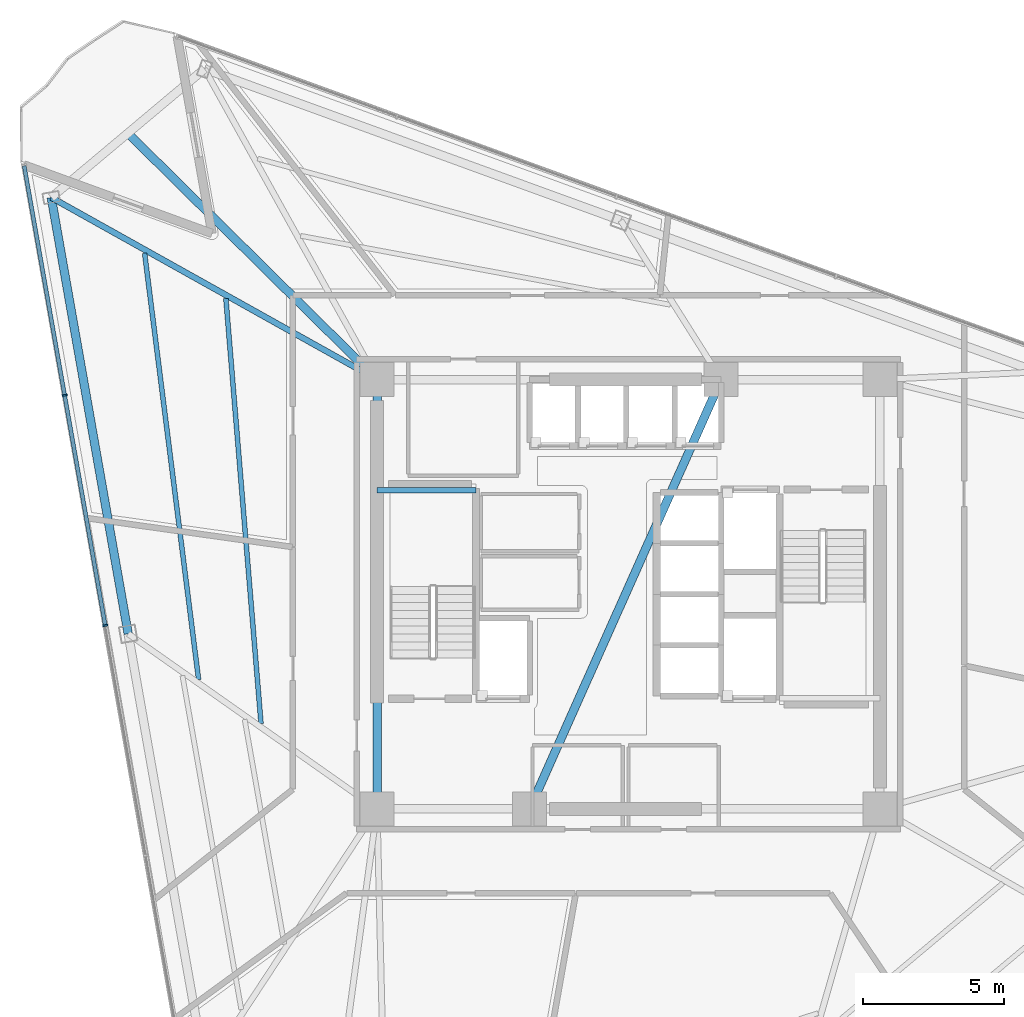
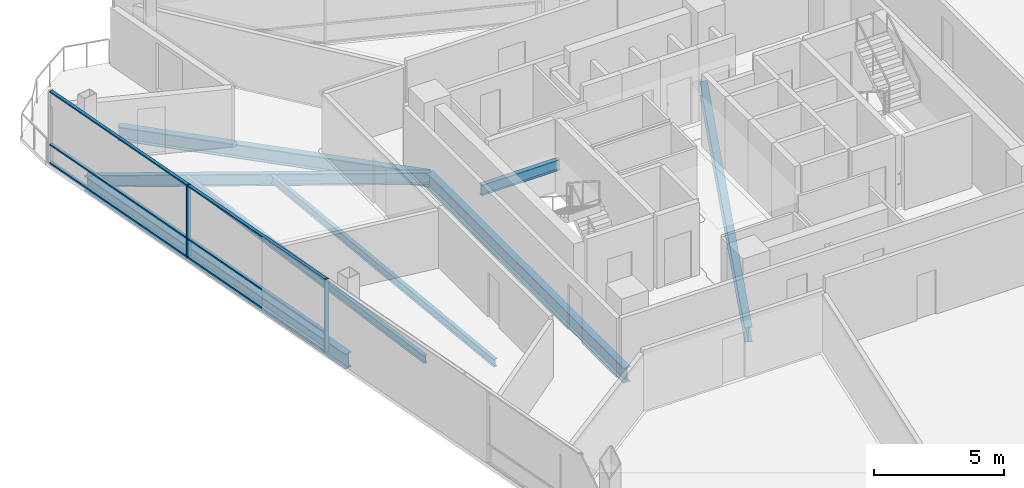
# One storey, part 5 of 16: 8 beams, 8 members, 1 element without a shape of its own.
"""IFC4 building model written with IfcOpenShell, lengths in metres."""

from ifc_helpers import new_model, si_unit, direction, frame, origin, origin_2d, place, context, subcontext, project, spatial, rectangle, i_section, extrude, material, layer, layer_set, material_profile, profile_set, type_object, element, aggregate, save


model = new_model("IFC4")

# Units and contexts
model_context = context("Model", 3, precision=1e-05, world=origin(), true_north=direction((0.0, 1.0)))
body_context = subcontext(model_context, "Body", "Model", "MODEL_VIEW")
ifc_project = project(units=[si_unit("LENGTHUNIT", "METRE"), si_unit("AREAUNIT", "SQUARE_METRE"), si_unit("VOLUMEUNIT", "CUBIC_METRE"), si_unit("PLANEANGLEUNIT", "RADIAN"), si_unit("MASSUNIT", "GRAM", prefix="KILO")], contexts=[model_context])

# Site, building, storey
site_placement = place(None, origin())
site = spatial("IfcSite", under=ifc_project, at=site_placement, CompositionType="ELEMENT")
building_placement = place(site_placement, origin())
building = spatial("IfcBuilding", under=site, at=building_placement, Name="Tharavind Bronze Gate", CompositionType="ELEMENT")
storey_placement = place(building_placement, frame((0.0, 0.0, 181.300048828125)))
storey = spatial("IfcBuildingStorey", under=building, at=storey_placement, Name="L46", CompositionType="ELEMENT", Elevation=181.300048828125)

# Curtain wall, members
ifc_material_1 = material(Name="Anodised Bronze Aluminium", Category="aluminium")
ifc_layer = layer(ifc_material_1, 0.219970703125)
ifc_layer_set = layer_set([ifc_layer], Name="Anodised Bronze Aluminium")
curtain_wall_type = type_object("IfcCurtainWallType", Name="UNITISED CURTAIN WALL MID OFFICE", PredefinedType="USERDEFINED", material=ifc_layer_set)
curtain_wall_placement = place(storey_placement, origin())
curtain_wall = element("IfcCurtainWall", 1, at=curtain_wall_placement, inside=storey, type_object=curtain_wall_type, Name="L46 unitised curtain wall mid office CW-L46-S1", ObjectType="UNITISED CURTAIN WALL", PredefinedType="USERDEFINED")
member_type_1 = type_object("IfcMemberType", Name="CURTAIN WALL BRONZE MULLION 65X180", PredefinedType="MULLION", material=ifc_material_1)
member_1_placement = place(storey_placement, frame((-19.9599609375, 7.044677734375, 0.0), z_axis=(0.0, 0.0, 1.0), x_axis=(0.173648177667, -0.984807753012, 0.0)))
member_1 = element("IfcMember", 2, at=member_1_placement, type_object=member_type_1, Name="CW-L46-S1 mullion 2", PredefinedType="MULLION", context=body_context, shape_type="SweptSolid", body=[
    extrude(rectangle(XDim=0.06494140625, YDim=0.179931640625, at=origin_2d()), origin(), (0.0, 0.0, 1.0), 3.419921875),
])
member_2_placement = place(storey_placement, frame((-18.5234375, -1.10302734375, 0.0), z_axis=(0.0, 0.0, 1.0), x_axis=(0.173648177667, -0.984807753012, 0.0)))
member_2 = element("IfcMember", 3, at=member_2_placement, type_object=member_type_1, Name="CW-L46-S1 mullion 3", PredefinedType="MULLION", context=body_context, shape_type="SweptSolid", body=[
    extrude(rectangle(XDim=0.06494140625, YDim=0.179931640625, at=origin_2d()), origin(), (0.0, 0.0, 1.0), 3.419921875),
])
member_type_2 = type_object("IfcMemberType", Name="CURTAIN WALL BRONZE TRANSOM 65X140", PredefinedType="USERDEFINED", material=ifc_material_1)
member_3_placement = place(storey_placement, frame((-20.678466796875, 11.118408203125, 0.0), z_axis=(0.0, 0.0, 1.0), x_axis=(0.173648177667, -0.984807753012, 0.0)))
member_3 = element("IfcMember", 4, at=member_3_placement, type_object=member_type_2, Name="CW-L46-S1 transom TB1", ObjectType="TRANSOM", PredefinedType="USERDEFINED", context=body_context, shape_type="SweptSolid", body=[
    extrude(rectangle(XDim=8.220458984375, YDim=0.139892578125, at=origin_2d()), origin(), (0.0, 0.0, 1.0), 0.06494140625),
])
member_4_placement = place(storey_placement, frame((-20.678466796875, 11.118408203125, 0.867431640625), z_axis=(0.0, 0.0, 1.0), x_axis=(0.173648177667, -0.984807753012, 0.0)))
member_4 = element("IfcMember", 5, at=member_4_placement, type_object=member_type_2, Name="CW-L46-S1 transom TS1", ObjectType="TRANSOM", PredefinedType="USERDEFINED", context=body_context, shape_type="SweptSolid", body=[
    extrude(rectangle(XDim=8.220458984375, YDim=0.139892578125, at=origin_2d()), origin(), (0.0, 0.0, 1.0), 0.06494140625),
])
member_5_placement = place(storey_placement, frame((-20.678466796875, 11.118408203125, 3.35498046875), z_axis=(0.0, 0.0, 1.0), x_axis=(0.173648177667, -0.984807753012, 0.0)))
member_5 = element("IfcMember", 6, at=member_5_placement, type_object=member_type_2, Name="CW-L46-S1 transom TT1", ObjectType="TRANSOM", PredefinedType="USERDEFINED", context=body_context, shape_type="SweptSolid", body=[
    extrude(rectangle(XDim=8.220458984375, YDim=0.139892578125, at=origin_2d()), origin(), (0.0, 0.0, 1.0), 0.06494140625),
])
member_6_placement = place(storey_placement, frame((-19.24169921875, 2.970703125, 0.0), z_axis=(0.0, 0.0, 1.0), x_axis=(0.173648177667, -0.984807753012, 0.0)))
member_6 = element("IfcMember", 7, at=member_6_placement, type_object=member_type_2, Name="CW-L46-S1 transom TB2", ObjectType="TRANSOM", PredefinedType="USERDEFINED", context=body_context, shape_type="SweptSolid", body=[
    extrude(rectangle(XDim=8.220458984375, YDim=0.139892578125, at=origin_2d()), origin(), (0.0, 0.0, 1.0), 0.06494140625),
])
member_7_placement = place(storey_placement, frame((-19.24169921875, 2.970703125, 0.867431640625), z_axis=(0.0, 0.0, 1.0), x_axis=(0.173648177667, -0.984807753012, 0.0)))
member_7 = element("IfcMember", 8, at=member_7_placement, type_object=member_type_2, Name="CW-L46-S1 transom TS2", ObjectType="TRANSOM", PredefinedType="USERDEFINED", context=body_context, shape_type="SweptSolid", body=[
    extrude(rectangle(XDim=8.220458984375, YDim=0.139892578125, at=origin_2d()), origin(), (0.0, 0.0, 1.0), 0.06494140625),
])
member_8_placement = place(storey_placement, frame((-19.24169921875, 2.970703125, 3.35498046875), z_axis=(0.0, 0.0, 1.0), x_axis=(0.173648177667, -0.984807753012, 0.0)))
member_8 = element("IfcMember", 9, at=member_8_placement, type_object=member_type_2, Name="CW-L46-S1 transom TT2", ObjectType="TRANSOM", PredefinedType="USERDEFINED", context=body_context, shape_type="SweptSolid", body=[
    extrude(rectangle(XDim=8.220458984375, YDim=0.139892578125, at=origin_2d()), origin(), (0.0, 0.0, 1.0), 0.06494140625),
])
aggregate(curtain_wall, [member_1, member_2, member_3, member_4, member_5, member_6, member_7, member_8])

# Beams
ifc_material_2 = material(Name="Steel S355", Category="steel")
ifc_material_profile_1 = material_profile(ifc_material_2, i_section(OverallWidth=0.300048828125, OverallDepth=0.64990234375, WebThickness=0.01611328125, FlangeThickness=0.031005859375, at=origin_2d()), Name="HE650B")
ifc_profile_set_1 = profile_set([ifc_material_profile_1], Name="Steel S355")
beam_type_1 = type_object("IfcBeamType", Name="PRIMARY GIRDER HE650B", PredefinedType="USERDEFINED", material=ifc_profile_set_1)
beam_1_placement = place(storey_placement, frame((-8.89990234375, 7.60009765625, -0.505126953125), z_axis=(-0.711218760843, 0.702970749196, 0.0), x_axis=(-0.702970749196, -0.711218760843, 0.0)))
element("IfcBeam", 10, at=beam_1_placement, inside=storey, type_object=beam_type_1, Name="L46 primary girder he650b BM-L46-BLCSB", ObjectType="GIRDER", PredefinedType="USERDEFINED", context=body_context, shape_type="SweptSolid", body=[
    extrude(i_section(OverallWidth=0.300048828125, OverallDepth=0.64990234375, WebThickness=0.01611328125, FlangeThickness=0.031005859375, at=origin_2d()), origin(), (0.0, 0.0, 1.0), 12.40234375),
])
ifc_material_profile_2 = material_profile(ifc_material_2, i_section(OverallWidth=0.199951171875, OverallDepth=0.5, WebThickness=0.01025390625, FlangeThickness=0.01611328125, at=origin_2d()), Name="IPE500")
ifc_profile_set_2 = profile_set([ifc_material_profile_2], Name="Steel S355")
beam_type_2 = type_object("IfcBeamType", Name="PRIMARY GIRDER IPE500", PredefinedType="USERDEFINED", material=ifc_profile_set_2)
beam_2_placement = place(storey_placement, frame((-8.89990234375, 3.679931640625, 1.349853515625), z_axis=(1.0, 0.0, 0.0), x_axis=(0.0, 1.0, 0.0)))
element("IfcBeam", 11, at=beam_2_placement, inside=storey, type_object=beam_type_2, Name="L46 primary girder ipe500 BM-LD-ST1-L46-1", ObjectType="GIRDER", PredefinedType="USERDEFINED", context=body_context, shape_type="SweptSolid", body=[
    extrude(i_section(OverallWidth=0.199951171875, OverallDepth=0.5, WebThickness=0.01025390625, FlangeThickness=0.01611328125, at=origin_2d()), origin(), (0.0, 0.0, 1.0), 3.5),
])
ifc_material_profile_3 = material_profile(ifc_material_2, i_section(OverallWidth=0.2099609375, OverallDepth=0.550048828125, WebThickness=0.010986328125, FlangeThickness=0.01708984375, at=origin_2d()), Name="IPE550")
ifc_profile_set_3 = profile_set([ifc_material_profile_3], Name="Steel S355")
beam_type_3 = type_object("IfcBeamType", Name="PRIMARY GIRDER IPE550", PredefinedType="USERDEFINED", material=ifc_profile_set_3)
beam_3_placement = place(storey_placement, frame((-20.4326171875, 14.043212890625, -0.455078125), z_axis=(0.872996251482, -0.487726916315, 0.0), x_axis=(0.487726916315, 0.872996251482, 0.0)))
element("IfcBeam", 12, at=beam_3_placement, inside=storey, type_object=beam_type_3, Name="L46 primary girder ipe550 BM-L46-RAD01", ObjectType="GIRDER", PredefinedType="USERDEFINED", context=body_context, shape_type="SweptSolid", body=[
    extrude(i_section(OverallWidth=0.2099609375, OverallDepth=0.550048828125, WebThickness=0.010986328125, FlangeThickness=0.01708984375, at=origin_2d()), origin(), (0.0, 0.0, 1.0), 13.21044921875),
])
ifc_material_profile_4 = material_profile(ifc_material_2, i_section(OverallWidth=0.300048828125, OverallDepth=0.699951171875, WebThickness=0.01708984375, FlangeThickness=0.031982421875, at=origin_2d()), Name="HE700B")
ifc_profile_set_4 = profile_set([ifc_material_profile_4], Name="Steel S355")
beam_type_4 = type_object("IfcBeamType", Name="RING GIRDER HE700B", PredefinedType="USERDEFINED", material=ifc_profile_set_4)
beam_4_placement = place(storey_placement, frame((-8.89990234375, 7.60009765625, -0.530029296875), z_axis=(0.0, -1.0, 0.0), x_axis=(1.0, 0.0, 0.0)))
element("IfcBeam", 13, at=beam_4_placement, inside=storey, type_object=beam_type_4, Name="L46 ring girder he700b BM-L46-CR6", ObjectType="GIRDER", PredefinedType="USERDEFINED", context=body_context, shape_type="SweptSolid", body=[
    extrude(i_section(OverallWidth=0.300048828125, OverallDepth=0.699951171875, WebThickness=0.01708984375, FlangeThickness=0.031982421875, at=origin_2d()), origin(), (0.0, 0.0, 1.0), 15.2001953125),
])
beam_5_placement = place(storey_placement, frame((-3.5, -7.60009765625, -0.530029296875), z_axis=(0.407361644566, 0.913266932795, 0.0), x_axis=(-0.913266932795, 0.407361644566, 0.0)))
element("IfcBeam", 14, at=beam_5_placement, inside=storey, type_object=beam_type_4, Name="L46 ring girder he700b BM-L46-CR7", ObjectType="GIRDER", PredefinedType="USERDEFINED", context=body_context, shape_type="SweptSolid", body=[
    extrude(i_section(OverallWidth=0.300048828125, OverallDepth=0.699951171875, WebThickness=0.01708984375, FlangeThickness=0.031982421875, at=origin_2d()), origin(), (0.0, 0.0, 1.0), 16.643798828125),
])
beam_6_placement = place(storey_placement, frame((-20.4326171875, 14.043212890625, -0.530029296875), z_axis=(0.173644998979, -0.984808313495, 0.0), x_axis=(0.984808313495, 0.173644998979, 0.0)))
element("IfcBeam", 15, at=beam_6_placement, inside=storey, type_object=beam_type_4, Name="L46 ring girder he700b BM-L46-PRG01", ObjectType="GIRDER", PredefinedType="USERDEFINED", context=body_context, shape_type="SweptSolid", body=[
    extrude(i_section(OverallWidth=0.300048828125, OverallDepth=0.699951171875, WebThickness=0.01708984375, FlangeThickness=0.031982421875, at=origin_2d()), origin(), (0.0, 0.0, 1.0), 15.680908203125),
])
ifc_material_profile_5 = material_profile(ifc_material_2, i_section(OverallWidth=0.169921875, OverallDepth=0.360107421875, WebThickness=0.008056640625, FlangeThickness=0.0126953125, at=origin_2d()), Name="IPE360")
ifc_profile_set_5 = profile_set([ifc_material_profile_5], Name="Steel S355")
beam_type_5 = type_object("IfcBeamType", Name="SECONDARY FLOOR JOIST IPE360", PredefinedType="JOIST", material=ifc_profile_set_5)
beam_7_placement = place(storey_placement, frame((-14.251953125, 10.466064453125, -0.360107421875), z_axis=(0.082410961919, -0.996598431343, 0.0), x_axis=(0.996598431343, 0.082410961919, 0.0)))
element("IfcBeam", 16, at=beam_7_placement, inside=storey, type_object=beam_type_5, Name="L46 secondary floor joist ipe360 BM-L46-JSTA01", PredefinedType="JOIST", context=body_context, shape_type="SweptSolid", body=[
    extrude(i_section(OverallWidth=0.169921875, OverallDepth=0.360107421875, WebThickness=0.008056640625, FlangeThickness=0.0126953125, at=origin_2d()), origin(), (0.0, 0.0, 1.0), 15.09375),
])
beam_8_placement = place(storey_placement, frame((-17.12890625, 12.073486328125, -0.360107421875), z_axis=(0.125636159432, -0.992076385891, 0.0), x_axis=(0.992076385891, 0.125636159432, 0.0)))
element("IfcBeam", 17, at=beam_8_placement, inside=storey, type_object=beam_type_5, Name="L46 secondary floor joist ipe360 BM-L46-JSTB01", PredefinedType="JOIST", context=body_context, shape_type="SweptSolid", body=[
    extrude(i_section(OverallWidth=0.169921875, OverallDepth=0.360107421875, WebThickness=0.008056640625, FlangeThickness=0.0126953125, at=origin_2d()), origin(), (0.0, 0.0, 1.0), 15.215576171875),
])

save(model, "model.ifc")
